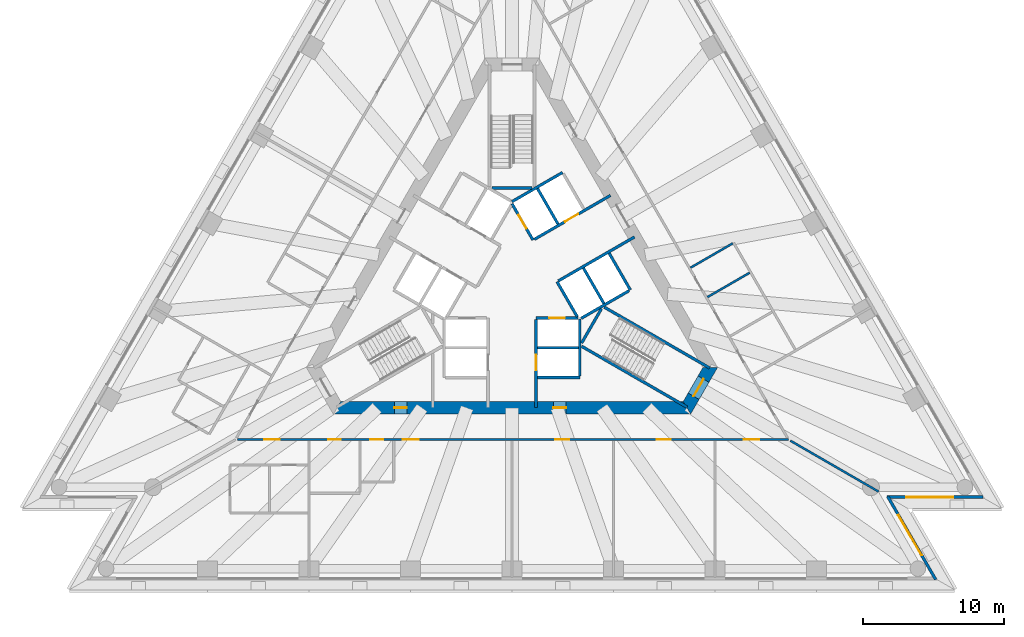
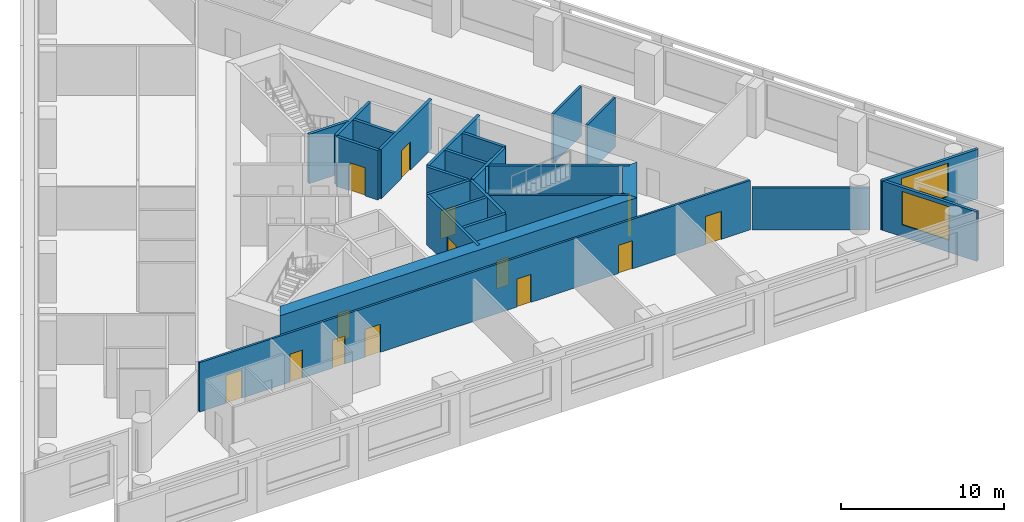
# One storey, part 5 of 11: 26 walls, 14 doors, 2 windows, 16 openings.
"""IFC4 building model written with IfcOpenShell, lengths in metres."""

from ifc_helpers import new_model, si_unit, direction, frame, frame_2d, origin, place, context, subcontext, project, spatial, polyline, rectangle, outline, extrude, material, layer, layer_set, layer_usage, type_object, element, fill, save


model = new_model("IFC4")

# Units and contexts
model_context = context("Model", 3, precision=1e-05, world=origin(), true_north=direction((0.0, 1.0)))
body_context = subcontext(model_context, "Body", "Model", "MODEL_VIEW")
ifc_project = project(units=[si_unit("LENGTHUNIT", "METRE"), si_unit("AREAUNIT", "SQUARE_METRE"), si_unit("VOLUMEUNIT", "CUBIC_METRE"), si_unit("PLANEANGLEUNIT", "RADIAN"), si_unit("MASSUNIT", "GRAM", prefix="KILO")], contexts=[model_context])

# Site, building, storey
site_placement = place(None, origin())
site = spatial("IfcSite", under=ifc_project, at=site_placement, CompositionType="ELEMENT")
building_placement = place(site_placement, origin())
building = spatial("IfcBuilding", under=site, at=building_placement, Name="Triada Interchange Tower", CompositionType="ELEMENT")
storey_placement = place(building_placement, frame((0.0, 0.0, 87.300048828125)))
storey = spatial("IfcBuildingStorey", under=building, at=storey_placement, Name="L19", CompositionType="ELEMENT", Elevation=87.300048828125)

# Walls
ifc_material_1 = material(Name="Concrete C30/37", Category="concrete")
ifc_layer_1 = layer(ifc_material_1, 0.199951171875)
ifc_layer_set_1 = layer_set([ifc_layer_1], Name="CORE WALL 200 EI 120")
wall_type_1 = type_object("IfcWallType", Name="CORE WALL 200 EI 120", PredefinedType="SOLIDWALL", material=ifc_layer_set_1)
wall_1_placement = place(storey_placement, frame((1.800048828125, -4.800048828125, 0.0), z_axis=(0.0, 0.0, 1.0), x_axis=(1.0, 0.0, 0.0)))
element("IfcWall", 1, at=wall_1_placement, inside=storey, type_object=wall_type_1, Name="Wall L18 45", PredefinedType="SOLIDWALL", context=body_context, shape_type="SweptSolid", body=[
    extrude(rectangle(XDim=2.89990234375, YDim=0.199951171875, at=frame_2d((1.449951171875, 0.0))), origin(), (0.0, 0.0, 1.0), 3.699951171875),
])
wall_2_placement = place(storey_placement, frame((1.800048828125, -6.89990234375, 0.0), z_axis=(0.0, 0.0, 1.0), x_axis=(1.0, 0.0, 0.0)))
element("IfcWall", 2, at=wall_2_placement, inside=storey, type_object=wall_type_1, Name="Wall L18 48", PredefinedType="SOLIDWALL", context=body_context, shape_type="SweptSolid", body=[
    extrude(rectangle(XDim=3.0, YDim=0.199951171875, at=frame_2d((1.5, 0.0))), origin(), (0.0, 0.0, 1.0), 3.699951171875),
])

# Wall, opening, door
wall_3_placement = place(storey_placement, frame((1.702880859375, -2.699951171875, 0.0), z_axis=(0.0, 0.0, 1.0), x_axis=(1.0, 0.0, 0.0)))
wall_3 = element("IfcWall", 3, at=wall_3_placement, inside=storey, type_object=wall_type_1, Name="Wall L18 51", PredefinedType="SOLIDWALL", context=body_context, shape_type="SweptSolid", body=[
    extrude(rectangle(XDim=2.97314453125, YDim=0.199951171875, at=frame_2d((1.486572265625, 0.0))), origin(), (0.0, 0.0, 1.0), 3.699951171875),
])
opening_1_placement = place(wall_3_placement, frame((0.93603515625, 0.0, 0.0)))
opening_1 = element("IfcOpeningElement", 4, at=opening_1_placement, cuts=wall_3, Name="Opening LD-LR1", PredefinedType="OPENING", context=body_context, shape_type="SweptSolid", body=[
    extrude(rectangle(XDim=1.10009765625, YDim=2.10009765625, at=frame_2d((0.550048828125, 1.050048828125))), frame((0.0, 0.10986328125, 0.0), z_axis=(0.0, -1.0, 0.0), x_axis=(1.0, 0.0, 0.0)), (0.0, 0.0, 1.0), 0.219970703125),
])
ifc_material_2 = material(Name="Steel S235 door leaf", Category="steel")
door_type_1 = type_object("IfcDoorType", Name="LIFT LANDING DOOR 1100 EI 120", OperationType="SLIDING_TO_LEFT", PredefinedType="DOOR", material=ifc_material_2)
door_1_placement = place(opening_1_placement, origin())
door_1 = element("IfcDoor", 5, at=door_1_placement, inside=storey, type_object=door_type_1, Name="LR1 landing door L19", OperationType="SLIDING_TO_LEFT", OverallHeight=2.10009765625, OverallWidth=1.10009765625, PredefinedType="DOOR", context=body_context, shape_type="SweptSolid", body=[
    extrude(rectangle(XDim=1.10009765625, YDim=2.10009765625, at=frame_2d((0.550048828125, 1.050048828125))), frame((0.0, 0.02490234375, 0.0), z_axis=(0.0, -1.0, 0.0), x_axis=(1.0, 0.0, 0.0)), (0.0, 0.0, 1.0), 0.050048828125),
])
fill(opening_1, door_1)

# Wall
wall_4_placement = place(storey_placement, frame((-0.001953125, 5.541015625, 0.0), z_axis=(0.0, 0.0, 1.0), x_axis=(0.86600155993, 0.500041296494, 0.0)))
element("IfcWall", 6, at=wall_4_placement, inside=storey, type_object=wall_type_1, Name="Wall L18 52", PredefinedType="SOLIDWALL", context=body_context, shape_type="SweptSolid", body=[
    extrude(rectangle(XDim=4.131591796875, YDim=0.199951171875, at=frame_2d((2.06591796875, 0.0))), origin(), (0.0, 0.0, 1.0), 3.699951171875),
])

# Wall, opening, door
wall_5_placement = place(storey_placement, frame((0.0, 5.39990234375, 0.0), z_axis=(0.0, 0.0, 1.0), x_axis=(0.500103862429, -0.865965430478, 0.0)))
wall_5 = element("IfcWall", 7, at=wall_5_placement, inside=storey, type_object=wall_type_1, Name="Wall L18 53", PredefinedType="SOLIDWALL", context=body_context, shape_type="SweptSolid", body=[
    extrude(rectangle(XDim=2.973388671875, YDim=0.199951171875, at=frame_2d((1.48681640625, 0.0))), origin(), (0.0, 0.0, 1.0), 3.699951171875),
])
opening_2_placement = place(wall_5_placement, frame((0.93701171875, 0.0, 0.0)))
opening_2 = element("IfcOpeningElement", 8, at=opening_2_placement, cuts=wall_5, Name="Opening LD-LR5", PredefinedType="OPENING", context=body_context, shape_type="SweptSolid", body=[
    extrude(rectangle(XDim=1.10009765625, YDim=2.10009765625, at=frame_2d((0.550048828125, 1.050048828125))), frame((0.0, 0.10986328125, 0.0), z_axis=(0.0, -1.0, 0.0), x_axis=(1.0, 0.0, 0.0)), (0.0, 0.0, 1.0), 0.219970703125),
])
door_2_placement = place(opening_2_placement, origin())
door_2 = element("IfcDoor", 9, at=door_2_placement, inside=storey, type_object=door_type_1, Name="LR5 landing door L19", OperationType="SLIDING_TO_LEFT", OverallHeight=2.10009765625, OverallWidth=1.10009765625, PredefinedType="DOOR", context=body_context, shape_type="SweptSolid", body=[
    extrude(rectangle(XDim=1.10009765625, YDim=2.10009765625, at=frame_2d((0.550048828125, 1.050048828125))), frame((0.0, 0.02490234375, 0.0), z_axis=(0.0, -1.0, 0.0), x_axis=(1.0, 0.0, 0.0)), (0.0, 0.0, 1.0), 0.050048828125),
])
fill(opening_2, door_2)

# Wall
wall_6_placement = place(storey_placement, frame((3.18994140625, -0.125, 0.0), z_axis=(0.0, 0.0, 1.0), x_axis=(0.499988658015, -0.866031951983, 0.0)))
element("IfcWall", 10, at=wall_6_placement, inside=storey, type_object=wall_type_1, Name="Wall L18 54", PredefinedType="SOLIDWALL", context=body_context, shape_type="SweptSolid", body=[
    extrude(rectangle(XDim=2.85791015625, YDim=0.199951171875, at=frame_2d((1.428955078125, 0.0))), origin(), (0.0, 0.0, 1.0), 3.699951171875),
])

# Wall, opening, door
wall_7_placement = place(storey_placement, frame((1.577880859375, 2.8740234375, 0.0), z_axis=(0.0, 0.0, 1.0), x_axis=(0.866031483044, 0.499989470266, 0.0)))
wall_7 = element("IfcWall", 11, at=wall_7_placement, inside=storey, type_object=wall_type_1, Name="Wall L18 55", PredefinedType="SOLIDWALL", context=body_context, shape_type="SweptSolid", body=[
    extrude(rectangle(XDim=6.226318359375, YDim=0.199951171875, at=frame_2d((3.11328125, 0.0))), origin(), (0.0, 0.0, 1.0), 3.699951171875),
])
opening_3_placement = place(wall_7_placement, frame((2.49609375, 0.0, 0.0)))
opening_3 = element("IfcOpeningElement", 12, at=opening_3_placement, cuts=wall_7, Name="Opening LD-LR6", PredefinedType="OPENING", context=body_context, shape_type="SweptSolid", body=[
    extrude(rectangle(XDim=1.10009765625, YDim=2.10009765625, at=frame_2d((0.550048828125, 1.050048828125))), frame((0.0, 0.10986328125, 0.0), z_axis=(0.0, -1.0, 0.0), x_axis=(1.0, 0.0, 0.0)), (0.0, 0.0, 1.0), 0.219970703125),
])
door_3_placement = place(opening_3_placement, origin())
door_3 = element("IfcDoor", 13, at=door_3_placement, inside=storey, type_object=door_type_1, Name="LR6 landing door L19", OperationType="SLIDING_TO_LEFT", OverallHeight=2.10009765625, OverallWidth=1.10009765625, PredefinedType="DOOR", context=body_context, shape_type="SweptSolid", body=[
    extrude(rectangle(XDim=1.10009765625, YDim=2.10009765625, at=frame_2d((0.550048828125, 1.050048828125))), frame((0.0, 0.02490234375, 0.0), z_axis=(0.0, -1.0, 0.0), x_axis=(1.0, 0.0, 0.0)), (0.0, 0.0, 1.0), 0.050048828125),
])
fill(opening_3, door_3)

wall_8_placement = place(storey_placement, frame((1.699951171875, -9.030029296875, 0.0), z_axis=(0.0, 0.0, 1.0), x_axis=(0.0, 1.0, 0.0)))
wall_8 = element("IfcWall", 14, at=wall_8_placement, inside=storey, type_object=wall_type_1, Name="Wall L18 56", PredefinedType="SOLIDWALL", context=body_context, shape_type="SweptSolid", body=[
    extrude(rectangle(XDim=6.22705078125, YDim=0.199951171875, at=frame_2d((3.113525390625, 0.0))), origin(), (0.0, 0.0, 1.0), 3.699951171875),
])
opening_4_placement = place(wall_8_placement, frame((2.6298828125, 0.0, 0.0)))
opening_4 = element("IfcOpeningElement", 15, at=opening_4_placement, cuts=wall_8, Name="Opening LD-LR2", PredefinedType="OPENING", context=body_context, shape_type="SweptSolid", body=[
    extrude(rectangle(XDim=1.10009765625, YDim=2.10009765625, at=frame_2d((0.550048828125, 1.050048828125))), frame((0.0, 0.10986328125, 0.0), z_axis=(0.0, -1.0, 0.0), x_axis=(1.0, 0.0, 0.0)), (0.0, 0.0, 1.0), 0.219970703125),
])
door_4_placement = place(opening_4_placement, origin())
door_4 = element("IfcDoor", 16, at=door_4_placement, inside=storey, type_object=door_type_1, Name="LR2 landing door L19", OperationType="SLIDING_TO_LEFT", OverallHeight=2.10009765625, OverallWidth=1.10009765625, PredefinedType="DOOR", context=body_context, shape_type="SweptSolid", body=[
    extrude(rectangle(XDim=1.10009765625, YDim=2.10009765625, at=frame_2d((0.550048828125, 1.050048828125))), frame((0.0, 0.02490234375, 0.0), z_axis=(0.0, -1.0, 0.0), x_axis=(1.0, 0.0, 0.0)), (0.0, 0.0, 1.0), 0.050048828125),
])
fill(opening_4, door_4)

# Walls
wall_9_placement = place(storey_placement, frame((4.800048828125, -6.800048828125, 0.0), z_axis=(0.0, 0.0, 1.0), x_axis=(0.0, 1.0, 0.0)))
element("IfcWall", 17, at=wall_9_placement, inside=storey, type_object=wall_type_1, Name="Wall L18 57", PredefinedType="SOLIDWALL", context=body_context, shape_type="SweptSolid", body=[
    extrude(rectangle(XDim=4.029052734375, YDim=0.199951171875, at=frame_2d((2.0146484375, 0.0))), origin(), (0.0, 0.0, 1.0), 3.699951171875),
])
wall_10_placement = place(storey_placement, frame((3.278076171875, -0.071044921875, 0.0), z_axis=(0.0, 0.0, 1.0), x_axis=(0.865953757655, 0.500124074208, 0.0)))
element("IfcWall", 18, at=wall_10_placement, inside=storey, type_object=wall_type_1, Name="Wall L18 58", PredefinedType="SOLIDWALL", context=body_context, shape_type="SweptSolid", body=[
    extrude(rectangle(XDim=6.2265625, YDim=0.199951171875, at=frame_2d((3.11328125, 0.0))), origin(), (0.0, 0.0, 1.0), 3.699951171875),
])
wall_11_placement = place(storey_placement, frame((6.8759765625, 1.89111328125, 0.0), z_axis=(0.0, 0.0, 1.0), x_axis=(0.499990139034, -0.866031096941, 0.0)))
element("IfcWall", 19, at=wall_11_placement, inside=storey, type_object=wall_type_1, Name="Wall L18 60", PredefinedType="SOLIDWALL", context=body_context, shape_type="SweptSolid", body=[
    extrude(rectangle(XDim=3.0, YDim=0.199951171875, at=frame_2d((1.5, 0.0))), origin(), (0.0, 0.0, 1.0), 3.699951171875),
])
for number, where, z_axis, x_axis, name in (
    (20, (1.806884765625, 6.469970703125, 0.0), (0.0, 0.0, 1.0), (0.50012328804, -0.865954211699, 0.0), "Wall L18 61"),
    (21, (5.056884765625, 0.841064453125, 0.0), (0.0, 0.0, 1.0), (0.50012328804, -0.865954211699, 0.0), "Wall L18 62"),
):
    element("IfcWall", number, at=place(storey_placement, frame(where, z_axis=z_axis, x_axis=x_axis)), inside=storey, type_object=wall_type_1, Name=name, PredefinedType="SOLIDWALL", context=body_context, shape_type="SweptSolid", body=[
        extrude(rectangle(XDim=2.899658203125, YDim=0.199951171875, at=frame_2d((1.44970703125, 0.0))), origin(), (0.0, 0.0, 1.0), 3.699951171875),
    ])
wall_12_placement = place(storey_placement, frame((4.89990234375, -2.714111328125, 0.0), z_axis=(0.0, 0.0, 1.0), x_axis=(0.865992350556, 0.500057245502, 0.0)))
element("IfcWall", 22, at=wall_12_placement, inside=storey, type_object=wall_type_1, Name="Wall L18 63", PredefinedType="SOLIDWALL", context=body_context, shape_type="SweptSolid", body=[
    extrude(rectangle(XDim=3.91357421875, YDim=0.199951171875, at=frame_2d((1.956787109375, 0.0))), origin(), (0.0, 0.0, 1.0), 3.699951171875),
])
ifc_layer_2 = layer(ifc_material_1, 0.199951171875)
ifc_layer_set_2 = layer_set([ifc_layer_2], Name="CORE WALL 200 REI 240")
wall_type_2 = type_object("IfcWallType", Name="CORE WALL 200 REI 240", PredefinedType="SOLIDWALL", material=ifc_layer_set_2)
wall_13_placement = place(storey_placement, frame((-1.39990234375, 6.5, 0.0), z_axis=(0.0, 0.0, 1.0), x_axis=(1.0, 0.0, 0.0)))
element("IfcWall", 23, at=wall_13_placement, inside=storey, type_object=wall_type_2, Name="Wall L18 85", PredefinedType="SOLIDWALL", context=body_context, shape_type="SweptSolid", body=[
    extrude(rectangle(XDim=2.7998046875, YDim=0.199951171875, at=frame_2d((1.39990234375, 0.0))), origin(), (0.0, 0.0, 1.0), 3.699951171875),
])
wall_14_placement = place(storey_placement, frame((4.928955078125, -4.693115234375, 0.0), z_axis=(0.0, 0.0, 1.0), x_axis=(0.866010975815, -0.500024989144, 0.0)))
element("IfcWall", 24, at=wall_14_placement, inside=storey, type_object=wall_type_2, Name="Wall L18 87", PredefinedType="SOLIDWALL", context=body_context, shape_type="SweptSolid", body=[
    extrude(rectangle(XDim=8.615234375, YDim=0.199951171875, at=frame_2d((4.3076171875, 0.0))), origin(), (0.0, 0.0, 1.0), 3.699951171875),
])
wall_15_placement = place(storey_placement, frame((4.928955078125, -4.4619140625, 0.0), z_axis=(0.0, 0.0, 1.0), x_axis=(0.500200581029, 0.865909567298, 0.0)))
element("IfcWall", 25, at=wall_15_placement, inside=storey, type_object=wall_type_2, Name="Wall L18 88", PredefinedType="SOLIDWALL", context=body_context, shape_type="SweptSolid", body=[
    extrude(rectangle(XDim=2.799072265625, YDim=0.199951171875, at=frame_2d((1.3994140625, 0.0))), origin(), (0.0, 0.0, 1.0), 3.699951171875),
])
wall_16_placement = place(storey_placement, frame((6.529052734375, -1.922119140625, 0.0), z_axis=(0.0, 0.0, 1.0), x_axis=(0.866060059011, -0.499939970583, 0.0)))
element("IfcWall", 26, at=wall_16_placement, inside=storey, type_object=wall_type_2, Name="Wall L18 89", PredefinedType="SOLIDWALL", context=body_context, shape_type="SweptSolid", body=[
    extrude(rectangle(XDim=8.61474609375, YDim=0.199951171875, at=frame_2d((4.307373046875, 0.0))), origin(), (0.0, 0.0, 1.0), 3.699951171875),
])

# Wall, openings, doors
ifc_material_3 = material(Name="Concrete C70/85", Category="concrete")
ifc_layer_3 = layer(ifc_material_3, 0.89990234375)
ifc_layer_set_3 = layer_set([ifc_layer_3], Name="Core wall A 900")
wall_type_3 = type_object("IfcWallType", Name="Core wall A 900", PredefinedType="SHEAR", material=ifc_layer_set_3)
wall_17_placement = place(storey_placement, frame((-12.384033203125, -9.050048828125, -0.300048828125), z_axis=(0.0, 0.0, 1.0), x_axis=(1.0, 0.0, 0.0)))
wall_17 = element("IfcWall", 27, at=wall_17_placement, inside=storey, type_object=wall_type_3, Name="Core wall WA04 L19", PredefinedType="SHEAR", context=body_context, shape_type="SweptSolid", body=[
    extrude(outline(polyline([(-0.260009765625, -0.449951171875), (1.685302734375, -0.449951171875), (3.63037109375, -0.449951171875), (5.57568359375, -0.449951171875), (7.52099609375, -0.449951171875), (9.466064453125, -0.449951171875), (11.411376953125, -0.449951171875), (13.356689453125, -0.449951171875), (15.302001953125, -0.449951171875), (17.2470703125, -0.449951171875), (19.1923828125, -0.449951171875), (21.1376953125, -0.449951171875), (23.082763671875, -0.449951171875), (25.028076171875, -0.449951171875), (24.508056640625, 0.449951171875), (22.642822265625, 0.449951171875), (20.777587890625, 0.449951171875), (18.912353515625, 0.449951171875), (17.047119140625, 0.449951171875), (15.181884765625, 0.449951171875), (13.316650390625, 0.449951171875), (11.451416015625, 0.449951171875), (9.586181640625, 0.449951171875), (7.720947265625, 0.449951171875), (5.855712890625, 0.449951171875), (3.990478515625, 0.449951171875), (2.125244140625, 0.449951171875), (0.260009765625, 0.449951171875), (-0.260009765625, -0.449951171875)])), origin(), (0.0, 0.0, 1.0), 4.0),
])
opening_5_placement = place(wall_17_placement, frame((4.050048828125, 0.0, 0.300048828125)))
opening_5 = element("IfcOpeningElement", 28, at=opening_5_placement, cuts=wall_17, Name="Opening D18-44", PredefinedType="OPENING", context=body_context, shape_type="SweptSolid", body=[
    extrude(rectangle(XDim=0.89990234375, YDim=2.10009765625, at=frame_2d((0.449951171875, 1.050048828125))), frame((0.0, 0.4599609375, 0.0), z_axis=(0.0, -1.0, 0.0), x_axis=(1.0, 0.0, 0.0)), (0.0, 0.0, 1.0), 0.919921875),
])
opening_6_placement = place(wall_17_placement, frame((15.320068359375, 0.0, 0.300048828125)))
opening_6 = element("IfcOpeningElement", 29, at=opening_6_placement, cuts=wall_17, Name="Opening D18-45", PredefinedType="OPENING", context=body_context, shape_type="SweptSolid", body=[
    extrude(rectangle(XDim=0.89990234375, YDim=2.10009765625, at=frame_2d((0.449951171875, 1.050048828125))), frame((0.0, 0.4599609375, 0.0), z_axis=(0.0, -1.0, 0.0), x_axis=(1.0, 0.0, 0.0)), (0.0, 0.0, 1.0), 0.919921875),
])
door_type_2 = type_object("IfcDoorType", Name="RISER ACCESS DOOR 900 EI2 45-C5S200", OperationType="NOTDEFINED", PredefinedType="DOOR", material=ifc_material_2)
door_5_placement = place(opening_5_placement, origin())
door_5 = element("IfcDoor", 30, at=door_5_placement, inside=storey, type_object=door_type_2, Name="Door D18-44 L19", OperationType="SINGLE_SWING_LEFT", OverallHeight=2.10009765625, OverallWidth=0.89990234375, PredefinedType="DOOR", context=body_context, shape_type="SweptSolid", body=[
    extrude(rectangle(XDim=0.89990234375, YDim=2.10009765625, at=frame_2d((0.449951171875, 1.050048828125))), frame((0.0, 0.02490234375, 0.0), z_axis=(0.0, -1.0, 0.0), x_axis=(1.0, 0.0, 0.0)), (0.0, 0.0, 1.0), 0.050048828125),
])
fill(opening_5, door_5)
door_type_3 = type_object("IfcDoorType", Name="SERVICE DOOR 900 EI2 45-C5S200", OperationType="NOTDEFINED", PredefinedType="DOOR", material=ifc_material_2)
door_6_placement = place(opening_6_placement, origin())
door_6 = element("IfcDoor", 31, at=door_6_placement, inside=storey, type_object=door_type_3, Name="Door D18-45 L19", OperationType="SINGLE_SWING_LEFT", OverallHeight=2.10009765625, OverallWidth=0.89990234375, PredefinedType="DOOR", context=body_context, shape_type="SweptSolid", body=[
    extrude(rectangle(XDim=0.89990234375, YDim=2.10009765625, at=frame_2d((0.449951171875, 1.050048828125))), frame((0.0, 0.02490234375, 0.0), z_axis=(0.0, -1.0, 0.0), x_axis=(1.0, 0.0, 0.0)), (0.0, 0.0, 1.0), 0.050048828125),
])
fill(opening_6, door_6)

# Wall, opening, door
wall_18_placement = place(storey_placement, frame((12.384033203125, -9.050048828125, -0.300048828125), z_axis=(0.0, 0.0, 1.0), x_axis=(0.500111984565, 0.865960739811, 0.0)))
wall_18 = element("IfcWall", 32, at=wall_18_placement, inside=storey, type_object=wall_type_3, Name="Core wall WA05 L19", PredefinedType="SHEAR", context=body_context, shape_type="SweptSolid", body=[
    extrude(outline(polyline([(-0.260009765625, -0.449951171875), (1.6455078125, -0.449462890625), (3.551025390625, -0.448974609375), (3.031005859375, 0.449951171875), (1.6455078125, 0.449951171875), (0.260009765625, 0.449951171875), (-0.260009765625, -0.449951171875)])), origin(), (0.0, 0.0, 1.0), 4.0),
])
opening_7_placement = place(wall_18_placement, frame((0.946044921875, 0.0, 0.300048828125)))
opening_7 = element("IfcOpeningElement", 33, at=opening_7_placement, cuts=wall_18, Name="Opening D18-41", PredefinedType="OPENING", context=body_context, shape_type="SweptSolid", body=[
    extrude(rectangle(XDim=1.39990234375, YDim=2.10009765625, at=frame_2d((0.699951171875, 1.050048828125))), frame((0.0, 0.4599609375, 0.0), z_axis=(0.0, -1.0, 0.0), x_axis=(1.0, 0.0, 0.0)), (0.0, 0.0, 1.0), 0.919921875),
])
door_type_4 = type_object("IfcDoorType", Name="STAIR DOOR 1400 EI2 90-C5S200", OperationType="DOUBLE_DOOR_SINGLE_SWING", PredefinedType="DOOR", material=ifc_material_2)
door_7_placement = place(opening_7_placement, origin())
door_7 = element("IfcDoor", 34, at=door_7_placement, inside=storey, type_object=door_type_4, Name="Door D18-41 L19", OperationType="DOUBLE_DOOR_SINGLE_SWING", OverallHeight=2.10009765625, OverallWidth=1.39990234375, PredefinedType="DOOR", context=body_context, shape_type="SweptSolid", body=[
    extrude(rectangle(XDim=1.39990234375, YDim=2.10009765625, at=frame_2d((0.699951171875, 1.050048828125))), frame((0.0, 0.02490234375, 0.0), z_axis=(0.0, -1.0, 0.0), x_axis=(1.0, 0.0, 0.0)), (0.0, 0.0, 1.0), 0.050048828125),
])
fill(opening_7, door_7)

# Wall, opening, window
ifc_material_4 = material(Name="Cement board")
ifc_layer_4 = layer(ifc_material_4, 0.02001953125, Name="Cement board cladding")
ifc_material_5 = material(Name="Sheathing board")
ifc_layer_5 = layer(ifc_material_5, 0.014892578125, Name="Sheathing board")
ifc_material_6 = material(Name="Mineral wool")
ifc_layer_6 = layer(ifc_material_6, 0.14990234375, Name="Mineral wool between steel studs")
ifc_material_7 = material(Name="Gypsum board")
ifc_layer_7 = layer(ifc_material_7, 0.014892578125, Name="Plasterboard lining")
ifc_layer_set_4 = layer_set([ifc_layer_4, ifc_layer_5, ifc_layer_6, ifc_layer_7], Name="External wall 200")
ifc_layer_usage = layer_usage(ifc_layer_set_4, "AXIS2", "POSITIVE", -0.10009765625)
wall_type_4 = type_object("IfcWallType", Name="External wall 200", PredefinedType="ELEMENTEDWALL", material=ifc_layer_set_4)
wall_19_placement = place(storey_placement, frame((29.991943359375, -21.20703125, 0.0), z_axis=(0.0, 0.0, 1.0), x_axis=(-0.499983120418, 0.866035148996, 0.0)))
wall_19 = element("IfcWall", 35, at=wall_19_placement, inside=storey, type_object=wall_type_4, material=ifc_layer_usage, Name="External wall L19 SE-1", PredefinedType="ELEMENTEDWALL", context=body_context, shape_type="SweptSolid", body=[
    extrude(rectangle(XDim=6.810302734375, YDim=0.199951171875, at=frame_2d((3.4052734375, 0.0))), origin(), (0.0, 0.0, 1.0), 3.699951171875),
])
opening_8_placement = place(wall_19_placement, frame((1.989990234375, 0.0, 0.89990234375)))
opening_8 = element("IfcOpeningElement", 36, at=opening_8_placement, cuts=wall_19, Name="Opening WA19", PredefinedType="OPENING", context=body_context, shape_type="SweptSolid", body=[
    extrude(rectangle(XDim=3.300048828125, YDim=2.5, at=frame_2d((1.64990234375, 1.25))), frame((0.0, 0.10986328125, 0.0), z_axis=(0.0, -1.0, 0.0), x_axis=(1.0, 0.0, 0.0)), (0.0, 0.0, 1.0), 0.219970703125),
])
ifc_material_8 = material(Name="Double glazed aluminium window", Category="aluminium")
window_type = type_object("IfcWindowType", Name="Ribbon window A pocket", PartitioningType="SINGLE_PANEL", PredefinedType="WINDOW", material=ifc_material_8)
window_1_placement = place(opening_8_placement, origin())
window_1 = element("IfcWindow", 37, at=window_1_placement, inside=storey, type_object=window_type, Name="Window L19 SE-1 1", OverallHeight=2.5, OverallWidth=3.300048828125, PartitioningType="SINGLE_PANEL", PredefinedType="WINDOW", context=body_context, shape_type="SweptSolid", body=[
    extrude(rectangle(XDim=3.300048828125, YDim=2.5, at=frame_2d((1.64990234375, 1.25))), frame((0.0, 0.030029296875, 0.0), z_axis=(0.0, -1.0, 0.0), x_axis=(1.0, 0.0, 0.0)), (0.0, 0.0, 1.0), 0.06005859375),
])
fill(opening_8, window_1)

wall_20_placement = place(storey_placement, frame((26.531982421875, -15.3701171875, 0.0), z_axis=(0.0, 0.0, 1.0), x_axis=(1.0, 0.0, 0.0)))
wall_20 = element("IfcWall", 38, at=wall_20_placement, inside=storey, type_object=wall_type_4, material=ifc_layer_usage, Name="External wall L19 SE-2", PredefinedType="ELEMENTEDWALL", context=body_context, shape_type="SweptSolid", body=[
    extrude(rectangle(XDim=6.81005859375, YDim=0.199951171875, at=frame_2d((3.405029296875, 0.0))), origin(), (0.0, 0.0, 1.0), 3.699951171875),
])
opening_9_placement = place(wall_20_placement, frame((1.389892578125, 0.0, 0.89990234375)))
opening_9 = element("IfcOpeningElement", 39, at=opening_9_placement, cuts=wall_20, Name="Opening WA20", PredefinedType="OPENING", context=body_context, shape_type="SweptSolid", body=[
    extrude(rectangle(XDim=3.300048828125, YDim=2.5, at=frame_2d((1.64990234375, 1.25))), frame((0.0, 0.10986328125, 0.0), z_axis=(0.0, -1.0, 0.0), x_axis=(1.0, 0.0, 0.0)), (0.0, 0.0, 1.0), 0.219970703125),
])
window_2_placement = place(opening_9_placement, origin())
window_2 = element("IfcWindow", 40, at=window_2_placement, inside=storey, type_object=window_type, Name="Window L19 SE-2 1", OverallHeight=2.5, OverallWidth=3.300048828125, PartitioningType="SINGLE_PANEL", PredefinedType="WINDOW", context=body_context, shape_type="SweptSolid", body=[
    extrude(rectangle(XDim=3.300048828125, YDim=2.5, at=frame_2d((1.64990234375, 1.25))), frame((0.0, 0.030029296875, 0.0), z_axis=(0.0, -1.0, 0.0), x_axis=(1.0, 0.0, 0.0)), (0.0, 0.0, 1.0), 0.06005859375),
])
fill(opening_9, window_2)

# Wall, openings, doors
ifc_material_9 = material(Name="Gypsum board partition")
ifc_layer_8 = layer(ifc_material_9, 0.14990234375)
ifc_layer_set_5 = layer_set([ifc_layer_8], Name="PARTITION 150 EI 180")
wall_type_5 = type_object("IfcWallType", Name="PARTITION 150 EI 180", PredefinedType="PARTITIONING", material=ifc_layer_set_5)
wall_21_placement = place(storey_placement, frame((-19.422119140625, -11.300048828125, 0.0), z_axis=(0.0, 0.0, 1.0), x_axis=(1.0, 0.0, 0.0)))
wall_21 = element("IfcWall", 41, at=wall_21_placement, inside=storey, type_object=wall_type_5, Name="Wall L18 4", PredefinedType="PARTITIONING", context=body_context, shape_type="SweptSolid", body=[
    extrude(rectangle(XDim=38.994140625, YDim=0.14990234375, at=frame_2d((19.4970703125, 0.0))), origin(), (0.0, 0.0, 1.0), 3.699951171875),
])
opening_10_placement = place(wall_21_placement, frame((1.89990234375, 0.0, 0.0)))
opening_10 = element("IfcOpeningElement", 42, at=opening_10_placement, cuts=wall_21, Name="Opening D18-11", PredefinedType="OPENING", context=body_context, shape_type="SweptSolid", body=[
    extrude(rectangle(XDim=1.10009765625, YDim=2.10009765625, at=frame_2d((0.550048828125, 1.050048828125))), frame((0.0, 0.0849609375, 0.0), z_axis=(0.0, -1.0, 0.0), x_axis=(1.0, 0.0, 0.0)), (0.0, 0.0, 1.0), 0.169921875),
])
opening_11_placement = place(wall_21_placement, frame((11.705078125, 0.0, 0.0)))
opening_11 = element("IfcOpeningElement", 43, at=opening_11_placement, cuts=wall_21, Name="Opening D18-14", PredefinedType="OPENING", context=body_context, shape_type="SweptSolid", body=[
    extrude(rectangle(XDim=1.10009765625, YDim=2.10009765625, at=frame_2d((0.550048828125, 1.050048828125))), frame((0.0, 0.0849609375, 0.0), z_axis=(0.0, -1.0, 0.0), x_axis=(1.0, 0.0, 0.0)), (0.0, 0.0, 1.0), 0.169921875),
])
opening_12_placement = place(wall_21_placement, frame((6.405029296875, 0.0, 0.0)))
opening_12 = element("IfcOpeningElement", 44, at=opening_12_placement, cuts=wall_21, Name="Opening D18-15", PredefinedType="OPENING", context=body_context, shape_type="SweptSolid", body=[
    extrude(rectangle(XDim=0.89990234375, YDim=2.10009765625, at=frame_2d((0.449951171875, 1.050048828125))), frame((0.0, 0.0849609375, 0.0), z_axis=(0.0, -1.0, 0.0), x_axis=(1.0, 0.0, 0.0)), (0.0, 0.0, 1.0), 0.169921875),
])
opening_13_placement = place(wall_21_placement, frame((9.405029296875, 0.0, 0.0)))
opening_13 = element("IfcOpeningElement", 45, at=opening_13_placement, cuts=wall_21, Name="Opening D18-16", PredefinedType="OPENING", context=body_context, shape_type="SweptSolid", body=[
    extrude(rectangle(XDim=0.89990234375, YDim=2.10009765625, at=frame_2d((0.449951171875, 1.050048828125))), frame((0.0, 0.0849609375, 0.0), z_axis=(0.0, -1.0, 0.0), x_axis=(1.0, 0.0, 0.0)), (0.0, 0.0, 1.0), 0.169921875),
])
opening_14_placement = place(wall_21_placement, frame((22.471923828125, 0.0, 0.0)))
opening_14 = element("IfcOpeningElement", 46, at=opening_14_placement, cuts=wall_21, Name="Opening D18-17", PredefinedType="OPENING", context=body_context, shape_type="SweptSolid", body=[
    extrude(rectangle(XDim=1.0, YDim=2.10009765625, at=frame_2d((0.5, 1.050048828125))), frame((0.0, 0.0849609375, 0.0), z_axis=(0.0, -1.0, 0.0), x_axis=(1.0, 0.0, 0.0)), (0.0, 0.0, 1.0), 0.169921875),
])
opening_15_placement = place(wall_21_placement, frame((29.656005859375, 0.0, 0.0)))
opening_15 = element("IfcOpeningElement", 47, at=opening_15_placement, cuts=wall_21, Name="Opening D18-18", PredefinedType="OPENING", context=body_context, shape_type="SweptSolid", body=[
    extrude(rectangle(XDim=1.0, YDim=2.10009765625, at=frame_2d((0.5, 1.050048828125))), frame((0.0, 0.0849609375, 0.0), z_axis=(0.0, -1.0, 0.0), x_axis=(1.0, 0.0, 0.0)), (0.0, 0.0, 1.0), 0.169921875),
])
opening_16_placement = place(wall_21_placement, frame((35.839111328125, 0.0, 0.0)))
opening_16 = element("IfcOpeningElement", 48, at=opening_16_placement, cuts=wall_21, Name="Opening D18-19", PredefinedType="OPENING", context=body_context, shape_type="SweptSolid", body=[
    extrude(rectangle(XDim=1.10009765625, YDim=2.10009765625, at=frame_2d((0.550048828125, 1.050048828125))), frame((0.0, 0.0849609375, 0.0), z_axis=(0.0, -1.0, 0.0), x_axis=(1.0, 0.0, 0.0)), (0.0, 0.0, 1.0), 0.169921875),
])
door_type_5 = type_object("IfcDoorType", Name="ROOM DOOR 1000 EI2 90-C5S200", OperationType="NOTDEFINED", PredefinedType="DOOR", material=ifc_material_2)
door_8_placement = place(opening_14_placement, origin())
door_8 = element("IfcDoor", 49, at=door_8_placement, inside=storey, type_object=door_type_5, Name="Door D18-17 L19", OperationType="SINGLE_SWING_LEFT", OverallHeight=2.10009765625, OverallWidth=1.0, PredefinedType="DOOR", context=body_context, shape_type="SweptSolid", body=[
    extrude(rectangle(XDim=1.0, YDim=2.10009765625, at=frame_2d((0.5, 1.050048828125))), frame((0.0, 0.02490234375, 0.0), z_axis=(0.0, -1.0, 0.0), x_axis=(1.0, 0.0, 0.0)), (0.0, 0.0, 1.0), 0.050048828125),
])
fill(opening_14, door_8)
door_9_placement = place(opening_15_placement, origin())
door_9 = element("IfcDoor", 50, at=door_9_placement, inside=storey, type_object=door_type_5, Name="Door D18-18 L19", OperationType="SINGLE_SWING_LEFT", OverallHeight=2.10009765625, OverallWidth=1.0, PredefinedType="DOOR", context=body_context, shape_type="SweptSolid", body=[
    extrude(rectangle(XDim=1.0, YDim=2.10009765625, at=frame_2d((0.5, 1.050048828125))), frame((0.0, 0.02490234375, 0.0), z_axis=(0.0, -1.0, 0.0), x_axis=(1.0, 0.0, 0.0)), (0.0, 0.0, 1.0), 0.050048828125),
])
fill(opening_15, door_9)
door_type_6 = type_object("IfcDoorType", Name="ROOM DOOR 900 EI2 90-C5S200", OperationType="NOTDEFINED", PredefinedType="DOOR", material=ifc_material_2)
door_10_placement = place(opening_12_placement, origin())
door_10 = element("IfcDoor", 51, at=door_10_placement, inside=storey, type_object=door_type_6, Name="Door D18-15 L19", OperationType="SINGLE_SWING_RIGHT", OverallHeight=2.10009765625, OverallWidth=0.89990234375, PredefinedType="DOOR", context=body_context, shape_type="SweptSolid", body=[
    extrude(rectangle(XDim=0.89990234375, YDim=2.10009765625, at=frame_2d((0.449951171875, 1.050048828125))), frame((0.0, 0.02490234375, 0.0), z_axis=(0.0, -1.0, 0.0), x_axis=(1.0, 0.0, 0.0)), (0.0, 0.0, 1.0), 0.050048828125),
])
fill(opening_12, door_10)
door_11_placement = place(opening_13_placement, origin())
door_11 = element("IfcDoor", 52, at=door_11_placement, inside=storey, type_object=door_type_6, Name="Door D18-16 L19", OperationType="SINGLE_SWING_LEFT", OverallHeight=2.10009765625, OverallWidth=0.89990234375, PredefinedType="DOOR", context=body_context, shape_type="SweptSolid", body=[
    extrude(rectangle(XDim=0.89990234375, YDim=2.10009765625, at=frame_2d((0.449951171875, 1.050048828125))), frame((0.0, 0.02490234375, 0.0), z_axis=(0.0, -1.0, 0.0), x_axis=(1.0, 0.0, 0.0)), (0.0, 0.0, 1.0), 0.050048828125),
])
fill(opening_13, door_11)
door_type_7 = type_object("IfcDoorType", Name="TENANCY ENTRANCE DOOR 1100 EI2 90-C5S200", OperationType="NOTDEFINED", PredefinedType="DOOR", material=ifc_material_2)
door_12_placement = place(opening_10_placement, origin())
door_12 = element("IfcDoor", 53, at=door_12_placement, inside=storey, type_object=door_type_7, Name="Door D18-11 L19", OperationType="SINGLE_SWING_RIGHT", OverallHeight=2.10009765625, OverallWidth=1.10009765625, PredefinedType="DOOR", context=body_context, shape_type="SweptSolid", body=[
    extrude(rectangle(XDim=1.10009765625, YDim=2.10009765625, at=frame_2d((0.550048828125, 1.050048828125))), frame((0.0, 0.02490234375, 0.0), z_axis=(0.0, -1.0, 0.0), x_axis=(1.0, 0.0, 0.0)), (0.0, 0.0, 1.0), 0.050048828125),
])
fill(opening_10, door_12)
door_13_placement = place(opening_11_placement, origin())
door_13 = element("IfcDoor", 54, at=door_13_placement, inside=storey, type_object=door_type_7, Name="Door D18-14 L19", OperationType="SINGLE_SWING_LEFT", OverallHeight=2.10009765625, OverallWidth=1.10009765625, PredefinedType="DOOR", context=body_context, shape_type="SweptSolid", body=[
    extrude(rectangle(XDim=1.10009765625, YDim=2.10009765625, at=frame_2d((0.550048828125, 1.050048828125))), frame((0.0, 0.02490234375, 0.0), z_axis=(0.0, -1.0, 0.0), x_axis=(1.0, 0.0, 0.0)), (0.0, 0.0, 1.0), 0.050048828125),
])
fill(opening_11, door_13)
door_14_placement = place(opening_16_placement, origin())
door_14 = element("IfcDoor", 55, at=door_14_placement, inside=storey, type_object=door_type_7, Name="Door D18-19 L19", OperationType="SINGLE_SWING_LEFT", OverallHeight=2.10009765625, OverallWidth=1.10009765625, PredefinedType="DOOR", context=body_context, shape_type="SweptSolid", body=[
    extrude(rectangle(XDim=1.10009765625, YDim=2.10009765625, at=frame_2d((0.550048828125, 1.050048828125))), frame((0.0, 0.02490234375, 0.0), z_axis=(0.0, -1.0, 0.0), x_axis=(1.0, 0.0, 0.0)), (0.0, 0.0, 1.0), 0.050048828125),
])
fill(opening_16, door_14)

# Walls
wall_22_placement = place(storey_placement, frame((19.701904296875, -11.375, 0.0), z_axis=(0.0, 0.0, 1.0), x_axis=(0.866029956157, -0.499992114976, 0.0)))
element("IfcWall", 56, at=wall_22_placement, inside=storey, type_object=wall_type_5, Name="Wall L18 6", PredefinedType="PARTITIONING", context=body_context, shape_type="SweptSolid", body=[
    extrude(rectangle(XDim=7.2099609375, YDim=0.14990234375, at=frame_2d((3.60498046875, 0.0))), origin(), (0.0, 0.0, 1.0), 3.14990234375),
])
for number, where, z_axis, x_axis, name in (
    (57, (12.635009765625, 0.865966796875, 0.0), (0.0, 0.0, 1.0), (0.866031223622, 0.49998991961, 0.0), "Wall L18 23"),
    (58, (13.8349609375, -1.212890625, 0.0), (0.0, 0.0, 1.0), (0.866061862632, 0.499936846106, 0.0), "Wall L18 24"),
):
    element("IfcWall", number, at=place(storey_placement, frame(where, z_axis=z_axis, x_axis=x_axis)), inside=storey, type_object=wall_type_5, Name=name, PredefinedType="PARTITIONING", context=body_context, shape_type="SweptSolid", body=[
        extrude(rectangle(XDim=3.4501953125, YDim=0.14990234375, at=frame_2d((1.72509765625, 0.0))), origin(), (0.0, 0.0, 1.0), 3.699951171875),
    ])

save(model, "model.ifc")
